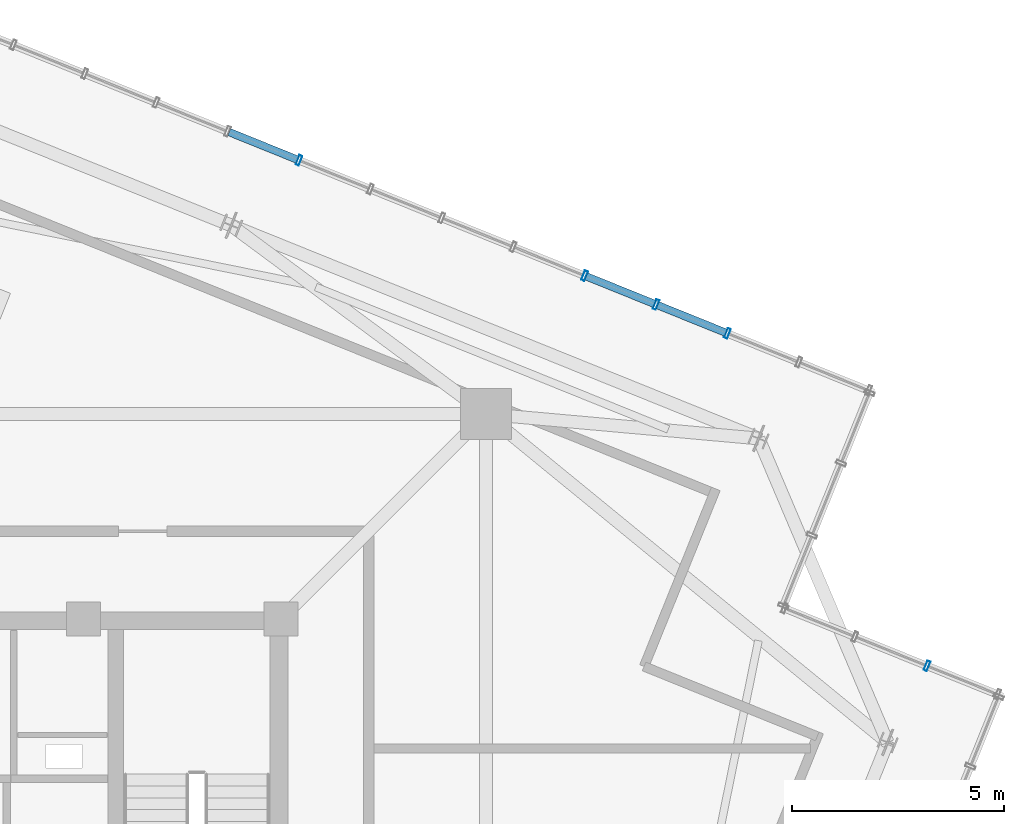
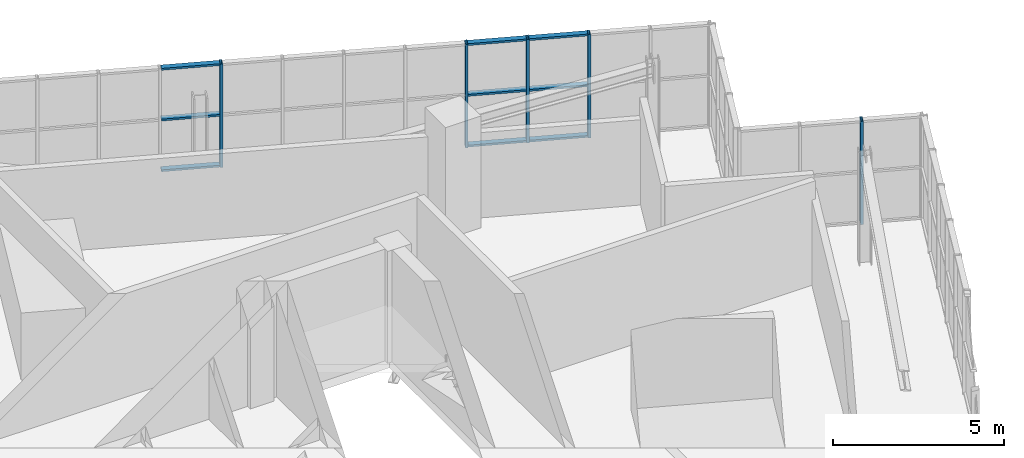
# One storey, part 17 of 26: 14 members, 2 elements without a shape of their own.
"""IFC4 building model written with IfcOpenShell, lengths in metres."""

from ifc_helpers import new_model, si_unit, direction, frame, origin, origin_2d, place, context, subcontext, project, spatial, hollow_rectangle, extrude, source, transform, mapped, material, layer, layer_set, material_profile, profile_set, type_object, element, aggregate, save


model = new_model("IFC4")

# Units and contexts
model_context = context("Model", 3, precision=1e-05, world=origin(), true_north=direction((0.0, 1.0)))
body_context = subcontext(model_context, "Body", "Model", "MODEL_VIEW")
ifc_project = project(units=[si_unit("LENGTHUNIT", "METRE"), si_unit("AREAUNIT", "SQUARE_METRE"), si_unit("VOLUMEUNIT", "CUBIC_METRE"), si_unit("PLANEANGLEUNIT", "RADIAN"), si_unit("MASSUNIT", "GRAM", prefix="KILO"), si_unit("THERMODYNAMICTEMPERATUREUNIT", "KELVIN")], contexts=[model_context])

# Site, building, storey
site_placement = place(None, origin())
site = spatial("IfcSite", under=ifc_project, at=site_placement, CompositionType="ELEMENT")
building_placement = place(site_placement, origin())
building = spatial("IfcBuilding", under=site, at=building_placement, Name="Kosmvard Interchange Tower", CompositionType="ELEMENT")
storey_placement = place(building_placement, frame((0.0, 0.0, 325.60009765625)))
storey = spatial("IfcBuildingStorey", under=building, at=storey_placement, Name="L80", CompositionType="ELEMENT", Elevation=325.60009765625)

# Curtain wall, member
ifc_material = material(Name="Architectural anodised aluminium", Category="aluminium")
ifc_layer = layer(ifc_material, 0.25, Name="Architectural anodised aluminium")
ifc_layer_set = layer_set([ifc_layer], Name="Architectural anodised aluminium")
curtain_wall_type = type_object("IfcCurtainWallType", Name="CW-6 Illuminated Crown Lantern Curtain Wall", PredefinedType="NOTDEFINED", material=ifc_layer_set)
curtain_wall_1_placement = place(storey_placement, origin())
curtain_wall_1 = element("IfcCurtainWall", 1, at=curtain_wall_1_placement, inside=storey, type_object=curtain_wall_type, Name="L80 Crown Lantern Glazing Face 02", PredefinedType="NOTDEFINED")
ifc_material_profile_1 = material_profile(ifc_material, hollow_rectangle(XDim=0.239990234375, YDim=0.080078125, WallThickness=0.006103515625, at=origin_2d()), Name="CWM 240x80x6")
ifc_profile_set_1 = profile_set([ifc_material_profile_1], Name="Architectural anodised aluminium")
member_type_1 = type_object("IfcMemberType", Name="Lantern & Observation CW Mullion 240x80 Aluminium", PredefinedType="MULLION", material=ifc_profile_set_1)
shared_shape_1 = source(origin(), body_context, "Body", "SweptSolid", [
    extrude(hollow_rectangle(XDim=0.239990234375, YDim=0.080078125, WallThickness=0.006103515625, at=origin_2d()), origin(), (0.0, 0.0, 1.0), 3.699951171875),
])
member_1_placement = place(storey_placement, frame((23.473388671875, 7.147216796875, 0.0), z_axis=(0.0, 0.0, 1.0), x_axis=(-0.374606564822, -0.92718386612, 0.0)))
member_1 = element("IfcMember", 2, at=member_1_placement, type_object=member_type_1, Name="CW-6 mullion 2", PredefinedType="MULLION", context=body_context, shape_type="MappedRepresentation", body=[
    mapped(shared_shape_1, transform((0.0, 0.0, 0.0), scale=1.0)),
])
aggregate(curtain_wall_1, [member_1])

# Curtain wall, members
curtain_wall_2_placement = place(storey_placement, origin())
curtain_wall_2 = element("IfcCurtainWall", 3, at=curtain_wall_2_placement, inside=storey, type_object=curtain_wall_type, Name="L80 Crown Lantern Glazing Face 04", PredefinedType="NOTDEFINED")
member_2_placement = place(storey_placement, frame((18.77001953125, 14.9794921875, 0.0), z_axis=(0.0, 0.0, 1.0), x_axis=(-0.374606584758, -0.927183858065, 0.0)))
member_2 = element("IfcMember", 4, at=member_2_placement, type_object=member_type_1, Name="CW-6 mullion 3", PredefinedType="MULLION", context=body_context, shape_type="MappedRepresentation", body=[
    mapped(shared_shape_1, transform((0.0, 0.0, 0.0), scale=1.0)),
])
member_3_placement = place(storey_placement, frame((17.087890625, 15.658935546875, 0.0), z_axis=(0.0, 0.0, 1.0), x_axis=(-0.374606584758, -0.927183858065, 0.0)))
member_3 = element("IfcMember", 5, at=member_3_placement, type_object=member_type_1, Name="CW-6 mullion 4", PredefinedType="MULLION", context=body_context, shape_type="MappedRepresentation", body=[
    mapped(shared_shape_1, transform((0.0, 0.0, 0.0), scale=1.0)),
])
member_4_placement = place(storey_placement, frame((15.40576171875, 16.338623046875, 0.0), z_axis=(0.0, 0.0, 1.0), x_axis=(-0.374606584758, -0.927183858065, 0.0)))
member_4 = element("IfcMember", 6, at=member_4_placement, type_object=member_type_1, Name="CW-6 mullion 5", PredefinedType="MULLION", context=body_context, shape_type="MappedRepresentation", body=[
    mapped(shared_shape_1, transform((0.0, 0.0, 0.0), scale=1.0)),
])
member_5_placement = place(storey_placement, frame((8.677734375, 19.056884765625, 0.0), z_axis=(0.0, 0.0, 1.0), x_axis=(-0.374606584758, -0.927183858065, 0.0)))
member_5 = element("IfcMember", 7, at=member_5_placement, type_object=member_type_1, Name="CW-6 mullion 9", PredefinedType="MULLION", context=body_context, shape_type="MappedRepresentation", body=[
    mapped(shared_shape_1, transform((0.0, 0.0, 0.0), scale=1.0)),
])
ifc_material_profile_2 = material_profile(ifc_material, hollow_rectangle(XDim=0.179931640625, YDim=0.070068359375, WallThickness=0.0048828125, at=origin_2d()), Name="CWT 180x70x5")
ifc_profile_set_2 = profile_set([ifc_material_profile_2], Name="Architectural anodised aluminium")
member_type_2 = type_object("IfcMemberType", Name="Heavy Lantern CW Transom 180x70 Aluminium", PredefinedType="USERDEFINED", material=ifc_profile_set_2)
shared_shape_2 = source(origin(), body_context, "Body", "SweptSolid", [
    extrude(hollow_rectangle(XDim=0.179931640625, YDim=0.070068359375, WallThickness=0.0048828125, at=origin_2d()), origin(), (0.0, 0.0, 1.0), 1.734130859375),
])
member_6_placement = place(storey_placement, frame((18.73291015625, 14.994384765625, 0.034912109375), z_axis=(-0.927179782522, 0.374616671924, 0.0), x_axis=(-0.374616671924, -0.927179782522, 0.0)))
member_6 = element("IfcMember", 8, at=member_6_placement, type_object=member_type_2, Name="CW-6 transom 3.1", ObjectType="TRANSOM", PredefinedType="USERDEFINED", context=body_context, shape_type="MappedRepresentation", body=[
    mapped(shared_shape_2, transform((0.0, 0.0, 0.0), scale=1.0)),
])
member_7_placement = place(storey_placement, frame((18.73291015625, 14.994384765625, 1.849853515625), z_axis=(-0.927179782522, 0.374616671924, 0.0), x_axis=(-0.374616671924, -0.927179782522, 0.0)))
member_7 = element("IfcMember", 9, at=member_7_placement, type_object=member_type_2, Name="CW-6 transom 3.2", ObjectType="TRANSOM", PredefinedType="USERDEFINED", context=body_context, shape_type="MappedRepresentation", body=[
    mapped(shared_shape_2, transform((0.0, 0.0, 0.0), scale=1.0)),
])
member_8_placement = place(storey_placement, frame((18.73291015625, 14.994384765625, 3.664794921875), z_axis=(-0.927179782522, 0.374616671924, 0.0), x_axis=(-0.374616671924, -0.927179782522, 0.0)))
member_8 = element("IfcMember", 10, at=member_8_placement, type_object=member_type_2, Name="CW-6 transom 3.3", ObjectType="TRANSOM", PredefinedType="USERDEFINED", context=body_context, shape_type="MappedRepresentation", body=[
    mapped(shared_shape_2, transform((0.0, 0.0, 0.0), scale=1.0)),
])
member_9_placement = place(storey_placement, frame((17.05078125, 15.674072265625, 0.034912109375), z_axis=(-0.927228675447, 0.374495638732, 0.0), x_axis=(-0.374495638732, -0.927228675447, 0.0)))
member_9 = element("IfcMember", 11, at=member_9_placement, type_object=member_type_2, Name="CW-6 transom 4.1", ObjectType="TRANSOM", PredefinedType="USERDEFINED", context=body_context, shape_type="MappedRepresentation", body=[
    mapped(shared_shape_2, transform((0.0, 0.0, 0.0), scale=1.0)),
])
member_10_placement = place(storey_placement, frame((17.05078125, 15.674072265625, 1.849853515625), z_axis=(-0.927228675447, 0.374495638732, 0.0), x_axis=(-0.374495638732, -0.927228675447, 0.0)))
member_10 = element("IfcMember", 12, at=member_10_placement, type_object=member_type_2, Name="CW-6 transom 4.2", ObjectType="TRANSOM", PredefinedType="USERDEFINED", context=body_context, shape_type="MappedRepresentation", body=[
    mapped(shared_shape_2, transform((0.0, 0.0, 0.0), scale=1.0)),
])
member_11_placement = place(storey_placement, frame((17.05078125, 15.674072265625, 3.664794921875), z_axis=(-0.927228675447, 0.374495638732, 0.0), x_axis=(-0.374495638732, -0.927228675447, 0.0)))
member_11 = element("IfcMember", 13, at=member_11_placement, type_object=member_type_2, Name="CW-6 transom 4.3", ObjectType="TRANSOM", PredefinedType="USERDEFINED", context=body_context, shape_type="MappedRepresentation", body=[
    mapped(shared_shape_2, transform((0.0, 0.0, 0.0), scale=1.0)),
])
shared_shape_3 = source(origin(), body_context, "Body", "SweptSolid", [
    extrude(hollow_rectangle(XDim=0.179931640625, YDim=0.070068359375, WallThickness=0.0048828125, at=origin_2d()), origin(), (0.0, 0.0, 1.0), 1.73388671875),
])
member_12_placement = place(storey_placement, frame((8.640625, 19.07177734375, 0.034912109375), z_axis=(-0.927160021861, 0.374665576032, 0.0), x_axis=(-0.374665576032, -0.927160021861, 0.0)))
member_12 = element("IfcMember", 14, at=member_12_placement, type_object=member_type_2, Name="CW-6 transom 9.1", ObjectType="TRANSOM", PredefinedType="USERDEFINED", context=body_context, shape_type="MappedRepresentation", body=[
    mapped(shared_shape_3, transform((0.0, 0.0, 0.0), scale=1.0)),
])
member_13_placement = place(storey_placement, frame((8.640625, 19.07177734375, 1.849853515625), z_axis=(-0.927160021861, 0.374665576032, 0.0), x_axis=(-0.374665576032, -0.927160021861, 0.0)))
member_13 = element("IfcMember", 15, at=member_13_placement, type_object=member_type_2, Name="CW-6 transom 9.2", ObjectType="TRANSOM", PredefinedType="USERDEFINED", context=body_context, shape_type="MappedRepresentation", body=[
    mapped(shared_shape_3, transform((0.0, 0.0, 0.0), scale=1.0)),
])
member_14_placement = place(storey_placement, frame((8.640625, 19.07177734375, 3.664794921875), z_axis=(-0.927160021861, 0.374665576032, 0.0), x_axis=(-0.374665576032, -0.927160021861, 0.0)))
member_14 = element("IfcMember", 16, at=member_14_placement, type_object=member_type_2, Name="CW-6 transom 9.3", ObjectType="TRANSOM", PredefinedType="USERDEFINED", context=body_context, shape_type="MappedRepresentation", body=[
    mapped(shared_shape_3, transform((0.0, 0.0, 0.0), scale=1.0)),
])
aggregate(curtain_wall_2, [member_2, member_3, member_4, member_5, member_6, member_7, member_8, member_9, member_10, member_11, member_12, member_13, member_14])

save(model, "model.ifc")
